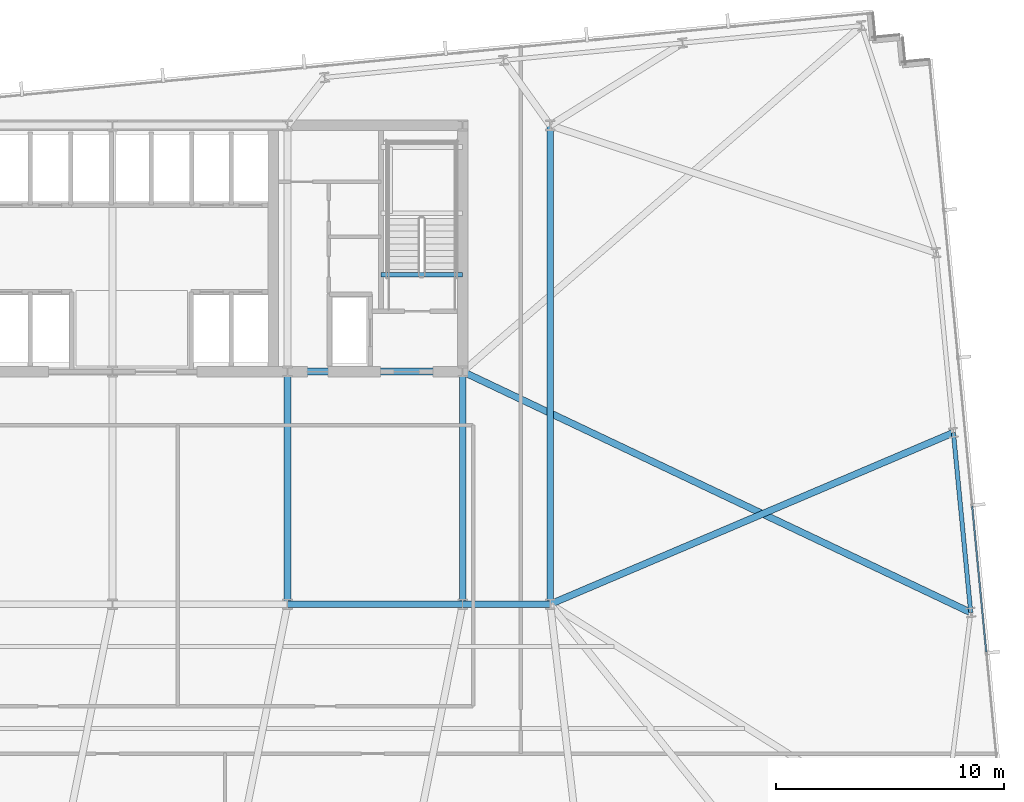
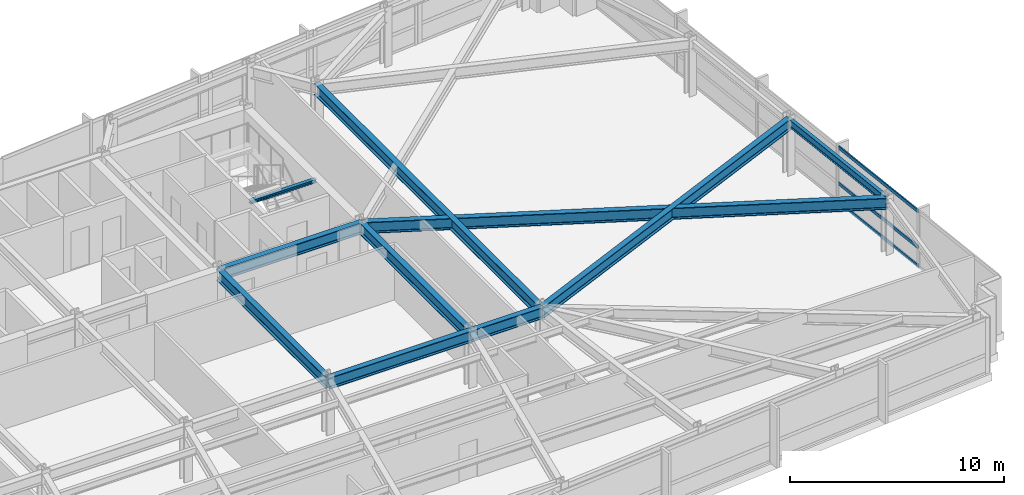
# One storey, part 16 of 33: 10 beams, 3 members, 1 element without a shape of its own.
"""IFC4 building model written with IfcOpenShell, lengths in metres."""

import ifcopenshell
import ifcopenshell.guid

model = None  # the IFC model being written
_history = None  # IfcOwnerHistory: only IFC2X3 demands one
_inside = {}  # id of a spatial element -> (the spatial element, [elements in it])
_under = {}  # id of a project, library or spatial element -> (it, [spatial elements below it])
_declared = {}  # id of a project -> (the project, [libraries it declares])
_typed = {}  # id of a type object -> (the type object, [elements of that type])
_made_of = {}  # id of a material, layer set ... -> (it, [elements and type objects made of it])


def new_model(schema):
    """Start an empty IFC model of exactly this schema.

    Asked for "IFC4X3", IfcOpenShell would pick the latest addendum, in which some entities
    have other attributes; the version numbers below select the first issue.
    IFC2X3 requires an IfcOwnerHistory on every rooted entity: one is made here for all.
    """
    global model, _history
    if schema == "IFC4X3":
        model = ifcopenshell.file(schema_version=(4, 3, 0, 0))
    else:
        model = ifcopenshell.file(schema=schema)
    _inside.clear()
    _under.clear()
    _declared.clear()
    _typed.clear()
    _made_of.clear()
    _history = None
    if model.schema == "IFC2X3":
        org = make("IfcOrganization", Name="unknown")
        user = make(
            "IfcPersonAndOrganization",
            ThePerson=make("IfcPerson", FamilyName="unknown"),
            TheOrganization=org,
        )
        app = make(
            "IfcApplication",
            ApplicationDeveloper=org,
            Version="unknown",
            ApplicationFullName="unknown",
            ApplicationIdentifier="unknown",
        )
        _history = make(
            "IfcOwnerHistory",
            OwningUser=user,
            OwningApplication=app,
            ChangeAction="ADDED",
            CreationDate=0,
        )
    return model


def make(cls, **values):
    """One entity of the class cls with the attributes given. An attribute that is None is left unset."""
    return model.create_entity(
        cls, **{name: value for name, value in values.items() if value is not None}
    )


def rooted(cls, **values):
    """An entity with a GlobalId (a new one), such as an element, a storey or a relation."""
    return make(cls, GlobalId=ifcopenshell.guid.new(), OwnerHistory=_history, **values)


def si_unit(unit_type, name, prefix=None):
    """IfcSIUnit, for example si_unit("LENGTHUNIT", "METRE", prefix="MILLI")."""
    return make("IfcSIUnit", UnitType=unit_type, Prefix=prefix, Name=name)


def assignment(units):
    """IfcUnitAssignment: the units of a project."""
    return None if units is None else make("IfcUnitAssignment", Units=units)


def point(xyz):
    """IfcCartesianPoint."""
    return None if xyz is None else make("IfcCartesianPoint", Coordinates=xyz)


def direction(xyz):
    """IfcDirection."""
    return None if xyz is None else make("IfcDirection", DirectionRatios=xyz)


def frame(location, z_axis=None, x_axis=None):
    """IfcAxis2Placement3D, a coordinate frame: its origin and axes. An axis left out is left unset."""
    return make(
        "IfcAxis2Placement3D",
        Location=point(location),
        Axis=direction(z_axis),
        RefDirection=direction(x_axis),
    )


def frame_2d(location, x_axis=None):
    """IfcAxis2Placement2D, a coordinate frame in the plane: its origin and x axis."""
    return make(
        "IfcAxis2Placement2D", Location=point(location), RefDirection=direction(x_axis)
    )


def origin():
    """The frame at (0, 0, 0) with its axes left unset."""
    return frame((0.0, 0.0, 0.0))


def origin_2d():
    """The frame at (0, 0) in the plane with its x axis left unset."""
    return frame_2d((0.0, 0.0))


def place(relative_to, where):
    """IfcLocalPlacement: puts the frame where relative to a parent placement (None: the world)."""
    return make(
        "IfcLocalPlacement", PlacementRelTo=relative_to, RelativePlacement=where
    )


def context(
    kind, dimensions, precision=None, world=None, true_north=None, identifier=None
):
    """IfcGeometricRepresentationContext, for example the 3D "Model" context."""
    return make(
        "IfcGeometricRepresentationContext",
        ContextIdentifier=identifier,
        ContextType=kind,
        CoordinateSpaceDimension=dimensions,
        Precision=precision,
        WorldCoordinateSystem=world,
        TrueNorth=true_north,
    )


def subcontext(parent, identifier, kind, view, scale=None):
    """IfcGeometricRepresentationSubContext, for example "Body" below "Model"."""
    return make(
        "IfcGeometricRepresentationSubContext",
        ContextIdentifier=identifier,
        ContextType=kind,
        ParentContext=parent,
        TargetScale=scale,
        TargetView=view,
    )


def project(units=None, contexts=None):
    """IfcProject with its units and contexts."""
    return rooted(
        "IfcProject",
        Name="project",
        RepresentationContexts=contexts,
        UnitsInContext=assignment(units),
    )


def spatial(cls, under=None, at=None, **own):
    """A site, building, storey or space (cls), placed at a placement, below another one or the project."""
    s = rooted(cls, ObjectPlacement=at, **own)
    if under is not None:
        _under.setdefault(under.id(), (under, []))[1].append(s)
    return s


def profile(cls, at=None, kind="AREA", **sizes):
    """A parametric profile (cls). Its sizes go by their IFC names, for example OverallWidth=200.0."""
    return make(cls, ProfileType=kind, Position=at, **sizes)


def hollow_rectangle(**sizes):
    """IfcRectangleHollowProfileDef."""
    return profile("IfcRectangleHollowProfileDef", **sizes)


def i_section(**sizes):
    """IfcIShapeProfileDef."""
    return profile("IfcIShapeProfileDef", **sizes)


def extrude(swept, where, along, depth):
    """IfcExtrudedAreaSolid: the profile swept, set in the frame where, extruded along a direction by depth."""
    return make(
        "IfcExtrudedAreaSolid",
        SweptArea=swept,
        Position=where,
        ExtrudedDirection=direction(along),
        Depth=depth,
    )


def shape(context_of_items, identifier, shape_type, items):
    """IfcShapeRepresentation: the items that make up one representation, for example the "Body"."""
    return make(
        "IfcShapeRepresentation",
        ContextOfItems=context_of_items,
        RepresentationIdentifier=identifier,
        RepresentationType=shape_type,
        Items=items,
    )


def material(Name=None, Category=None):
    """IfcMaterial."""
    return make("IfcMaterial", Name=Name, Category=Category)


def material_profile(
    of_material, cross_section, Name=None, Category=None, Priority=None
):
    """IfcMaterialProfile: a cross section and its material."""
    return make(
        "IfcMaterialProfile",
        Name=Name,
        Material=of_material,
        Profile=cross_section,
        Priority=Priority,
        Category=Category,
    )


def profile_set(profiles, Name=None, composite=None):
    """IfcMaterialProfileSet."""
    return make(
        "IfcMaterialProfileSet",
        Name=Name,
        MaterialProfiles=profiles,
        CompositeProfile=composite,
    )


def made_of(thing, what):
    """Note that an element or type object is made of a material, layer set ...; save() writes the relation."""
    if what is not None:
        _made_of.setdefault(what.id(), (what, []))[1].append(thing)
    return thing


def type_object(cls, material=None, **own):
    """A type object (cls), such as IfcWallType, which elements share."""
    return made_of(rooted(cls, **own), material)


def element(
    cls,
    number,
    at=None,
    inside=None,
    cuts=None,
    type_object=None,
    material=None,
    context=None,
    identifier="Body",
    shape_type=None,
    held_by="IfcProductDefinitionShape",
    body=None,
    shapes=None,
    **own,
):
    """One element of the class cls, such as IfcWall. Its Tag is "e" and its number.

    at: its placement. inside: the storey or other place that contains it. cuts: it is an
    opening in that element (IfcRelVoidsElement). A single representation is given by context,
    identifier, shape_type and body (its items); several are given by shapes. held_by: the class
    of the entity that holds the representations. save() writes the other relations.
    """
    e = rooted(cls, Tag="e%d" % number, ObjectPlacement=at, **own)
    if body is not None:
        shapes = [shape(context, identifier, shape_type, body)]
    if shapes is not None:
        e.Representation = make(held_by, Representations=shapes)
    if inside is not None:
        _inside.setdefault(inside.id(), (inside, []))[1].append(e)
    if cuts is not None:
        rooted(
            "IfcRelVoidsElement", RelatingBuildingElement=cuts, RelatedOpeningElement=e
        )
    if type_object is not None:
        _typed.setdefault(type_object.id(), (type_object, []))[1].append(e)
    return made_of(e, material)


def aggregate(whole, parts):
    """IfcRelAggregates: a whole, such as a stair, and the parts it consists of."""
    return rooted("IfcRelAggregates", RelatingObject=whole, RelatedObjects=parts)


def save(model, path):
    """Write the relations noted so far, then the file.

    IfcRelAggregates (storeys below a building ...), IfcRelContainedInSpatialStructure (elements
    in a storey), IfcRelDefinesByType, IfcRelAssociatesMaterial and IfcRelDeclares: one each for
    every whole, place, type object, material and project.
    """
    for whole, parts in _under.values():
        aggregate(whole, parts)
    for where, things in _inside.values():
        rooted(
            "IfcRelContainedInSpatialStructure",
            RelatedElements=things,
            RelatingStructure=where,
        )
    for kind, things in _typed.values():
        rooted("IfcRelDefinesByType", RelatedObjects=things, RelatingType=kind)
    for what, things in _made_of.values():
        rooted("IfcRelAssociatesMaterial", RelatedObjects=things, RelatingMaterial=what)
    for by, libraries in _declared.values():
        rooted("IfcRelDeclares", RelatingContext=by, RelatedDefinitions=libraries)
    model.write(path)


model = new_model("IFC4")

# Units and contexts
model_context = context("Model", 3, precision=1e-05, world=origin(), true_north=direction((0.0, 1.0)))
body_context = subcontext(model_context, "Body", "Model", "MODEL_VIEW")
ifc_project = project(units=[si_unit("LENGTHUNIT", "METRE"), si_unit("AREAUNIT", "SQUARE_METRE"), si_unit("VOLUMEUNIT", "CUBIC_METRE"), si_unit("PLANEANGLEUNIT", "RADIAN"), si_unit("MASSUNIT", "GRAM", prefix="KILO")], contexts=[model_context])

# Site, building, storey
site_placement = place(None, origin())
site = spatial("IfcSite", under=ifc_project, at=site_placement, CompositionType="ELEMENT")
building_placement = place(site_placement, origin())
building = spatial("IfcBuilding", under=site, at=building_placement, Name="Yelkora Congress Tower", CompositionType="ELEMENT")
storey_placement = place(building_placement, frame((0.0, 0.0, 89.699951171875)))
storey = spatial("IfcBuildingStorey", under=building, at=storey_placement, Name="L23", CompositionType="ELEMENT", Elevation=89.699951171875)

# Beams
ifc_material_1 = material(Name="Steel S355J2", Category="steel")
ifc_material_profile_1 = material_profile(ifc_material_1, i_section(OverallWidth=0.300048828125, OverallDepth=0.64990234375, WebThickness=0.01611328125, FlangeThickness=0.031005859375, FilletRadius=0.027099609375, at=origin_2d()), Name="HEB 650")
ifc_profile_set_1 = profile_set([ifc_material_profile_1], Name="Steel S355J2")
beam_type_1 = type_object("IfcBeamType", Name="BM-GIRD-HEB650", PredefinedType="BEAM", material=ifc_profile_set_1)
beam_1_placement = place(storey_placement, frame((46.080078125, 25.199951171875, 2.85498046875), z_axis=(1.0, 0.0, 0.0), x_axis=(0.0, 1.0, 0.0)))
element("IfcBeam", 1, at=beam_1_placement, inside=storey, type_object=beam_type_1, Name="L23 Spine Grid D Girder 5", PredefinedType="BEAM", context=body_context, shape_type="SweptSolid", body=[
    extrude(i_section(OverallWidth=0.300048828125, OverallDepth=0.64990234375, WebThickness=0.01611328125, FlangeThickness=0.031005859375, FilletRadius=0.027099609375, at=origin_2d()), origin(), (0.0, 0.0, 1.0), 7.679931640625),
])
beam_2_placement = place(storey_placement, frame((53.760009765625, 25.199951171875, 2.85498046875), z_axis=(1.0, 0.0, 0.0), x_axis=(0.0, 1.0, 0.0)))
element("IfcBeam", 2, at=beam_2_placement, inside=storey, type_object=beam_type_1, Name="L23 Spine Grid D Girder 6", PredefinedType="BEAM", context=body_context, shape_type="SweptSolid", body=[
    extrude(i_section(OverallWidth=0.300048828125, OverallDepth=0.64990234375, WebThickness=0.01611328125, FlangeThickness=0.031005859375, FilletRadius=0.027099609375, at=origin_2d()), origin(), (0.0, 0.0, 1.0), 3.840087890625),
])
beam_3_placement = place(storey_placement, frame((46.080078125, 35.39990234375, 2.85498046875), z_axis=(1.0, 0.0, 0.0), x_axis=(0.0, 1.0, 0.0)))
element("IfcBeam", 3, at=beam_3_placement, inside=storey, type_object=beam_type_1, Name="L23 Core South Girder 4", PredefinedType="BEAM", context=body_context, shape_type="SweptSolid", body=[
    extrude(i_section(OverallWidth=0.300048828125, OverallDepth=0.64990234375, WebThickness=0.01611328125, FlangeThickness=0.031005859375, FilletRadius=0.027099609375, at=origin_2d()), origin(), (0.0, 0.0, 1.0), 7.679931640625),
])
for number, where, z_axis, x_axis, name in (
    (4, (46.080078125, 25.199951171875, 2.85498046875), (0.0, 1.0, 0.0), (-1.0, 0.0, 0.0), "L23 Core Tie Girder MC-D4"),
    (5, (53.760009765625, 25.199951171875, 2.85498046875), (0.0, 1.0, 0.0), (-1.0, 0.0, 0.0), "L23 Core Tie Girder MC-D5"),
):
    element("IfcBeam", number, at=place(storey_placement, frame(where, z_axis=z_axis, x_axis=x_axis)), inside=storey, type_object=beam_type_1, Name=name, PredefinedType="BEAM", context=body_context, shape_type="SweptSolid", body=[
        extrude(i_section(OverallWidth=0.300048828125, OverallDepth=0.64990234375, WebThickness=0.01611328125, FlangeThickness=0.031005859375, FilletRadius=0.027099609375, at=origin_2d()), origin(), (0.0, 0.0, 1.0), 10.199951171875),
    ])
beam_4_placement = place(storey_placement, frame((57.60009765625, 25.199951171875, 2.85498046875), z_axis=(0.0, 1.0, 0.0), x_axis=(-1.0, 0.0, 0.0)))
element("IfcBeam", 6, at=beam_4_placement, inside=storey, type_object=beam_type_1, Name="L23 Neck Flank Girder MC-F2", PredefinedType="BEAM", context=body_context, shape_type="SweptSolid", body=[
    extrude(i_section(OverallWidth=0.300048828125, OverallDepth=0.64990234375, WebThickness=0.01611328125, FlangeThickness=0.031005859375, FilletRadius=0.027099609375, at=origin_2d()), origin(), (0.0, 0.0, 1.0), 21.0),
])
beam_5_placement = place(storey_placement, frame((76.041259765625, 24.83349609375, 2.85498046875), z_axis=(-0.903547447445, 0.428488051427, 0.0), x_axis=(-0.428488051427, -0.903547447445, 0.0)))
element("IfcBeam", 7, at=beam_5_placement, inside=storey, type_object=beam_type_1, Name="L23 Primary Frame Girder E01", PredefinedType="BEAM", context=body_context, shape_type="SweptSolid", body=[
    extrude(i_section(OverallWidth=0.300048828125, OverallDepth=0.64990234375, WebThickness=0.01611328125, FlangeThickness=0.031005859375, FilletRadius=0.027099609375, at=origin_2d()), origin(), (0.0, 0.0, 1.0), 24.65966796875),
])
beam_6_placement = place(storey_placement, frame((75.28173828125, 32.721923828125, 2.85498046875), z_axis=(-0.920194564302, -0.391461318432, 0.0), x_axis=(0.391461318432, -0.920194564302, 0.0)))
element("IfcBeam", 8, at=beam_6_placement, inside=storey, type_object=beam_type_1, Name="L23 Primary Frame Girder E02", PredefinedType="BEAM", context=body_context, shape_type="SweptSolid", body=[
    extrude(i_section(OverallWidth=0.300048828125, OverallDepth=0.64990234375, WebThickness=0.01611328125, FlangeThickness=0.031005859375, FilletRadius=0.027099609375, at=origin_2d()), origin(), (0.0, 0.0, 1.0), 19.215087890625),
])
ifc_material_profile_2 = material_profile(ifc_material_1, i_section(OverallWidth=0.199951171875, OverallDepth=0.18994140625, WebThickness=0.006591796875, FlangeThickness=0.010009765625, FilletRadius=0.01806640625, at=origin_2d()), Name="HEA 200")
ifc_profile_set_2 = profile_set([ifc_material_profile_2], Name="Steel S355J2")
beam_type_2 = type_object("IfcBeamType", Name="BM-LAND-HEA200", PredefinedType="BEAM", material=ifc_profile_set_2)
beam_7_placement = place(storey_placement, frame((50.179931640625, 39.639892578125, 2.947509765625), z_axis=(1.0, 0.0, 0.0), x_axis=(0.0, 1.0, 0.0)))
element("IfcBeam", 9, at=beam_7_placement, inside=storey, type_object=beam_type_2, Name="ST-02 L23 Floor Arrival Stringer Header Beam", PredefinedType="BEAM", context=body_context, shape_type="SweptSolid", body=[
    extrude(i_section(OverallWidth=0.199951171875, OverallDepth=0.18994140625, WebThickness=0.006591796875, FlangeThickness=0.010009765625, FilletRadius=0.01806640625, at=origin_2d()), origin(), (0.0, 0.0, 1.0), 3.580078125),
])
ifc_material_profile_3 = material_profile(ifc_material_1, i_section(OverallWidth=0.18994140625, OverallDepth=0.449951171875, WebThickness=0.009521484375, FlangeThickness=0.0146484375, FilletRadius=0.02099609375, at=origin_2d()), Name="IPE 450")
ifc_profile_set_3 = profile_set([ifc_material_profile_3], Name="Steel S355J2")
beam_type_3 = type_object("IfcBeamType", Name="BM-SPAN-IPE450", PredefinedType="SPANDREL", material=ifc_profile_set_3)
beam_8_placement = place(storey_placement, frame((76.041259765625, 24.83349609375, 2.955078125), z_axis=(-0.095839787071, 0.995396772757, 0.0), x_axis=(-0.995396772757, -0.095839787071, 0.0)))
element("IfcBeam", 10, at=beam_8_placement, inside=storey, type_object=beam_type_3, Name="L23 Perimeter Beam 11", PredefinedType="SPANDREL", context=body_context, shape_type="SweptSolid", body=[
    extrude(i_section(OverallWidth=0.18994140625, OverallDepth=0.449951171875, WebThickness=0.009521484375, FlangeThickness=0.0146484375, FilletRadius=0.02099609375, at=origin_2d()), origin(), (0.0, 0.0, 1.0), 7.9248046875),
])

# Curtain wall, members
ifc_material_2 = material(Name="Anodised aluminium and insulated glass", Category="aluminium")
curtain_wall_type = type_object("IfcCurtainWallType", Name="CW-SYS-SKY", PredefinedType="NOTDEFINED", material=ifc_material_2)
curtain_wall_placement = place(storey_placement, origin())
curtain_wall = element("IfcCurtainWall", 11, at=curtain_wall_placement, inside=storey, type_object=curtain_wall_type, Name="L23 Unitised Curtain Wall 15", PredefinedType="NOTDEFINED")
ifc_material_3 = material(Name="Anodised aluminium 6063-T6", Category="aluminium")
ifc_material_profile_4 = material_profile(ifc_material_3, hollow_rectangle(XDim=0.070068359375, YDim=0.18994140625, WallThickness=0.00390625, at=origin_2d()), Name="ALU 70x190x4")
ifc_profile_set_4 = profile_set([ifc_material_profile_4], Name="Anodised aluminium 6063-T6")
member_type = type_object("IfcMemberType", Name="MEM-TR-SKY", PredefinedType="USERDEFINED", material=ifc_profile_set_4)
member_1_placement = place(storey_placement, frame((76.1044921875, 29.49658203125, 0.03515625), z_axis=(0.095848441597, -0.995395939435, 0.0), x_axis=(0.995395939435, 0.095848441597, 0.0)))
member_1 = element("IfcMember", 12, at=member_1_placement, type_object=member_type, Name="CW-SKY transom 4.1", ObjectType="TRANSOM", PredefinedType="USERDEFINED", context=body_context, shape_type="SweptSolid", body=[
    extrude(hollow_rectangle(XDim=0.070068359375, YDim=0.18994140625, WallThickness=0.00390625, at=origin_2d()), origin(), (0.0, 0.0, 1.0), 6.428955078125),
])
member_2_placement = place(storey_placement, frame((76.1044921875, 29.49658203125, 1.10009765625), z_axis=(0.095848441597, -0.995395939435, 0.0), x_axis=(0.995395939435, 0.095848441597, 0.0)))
member_2 = element("IfcMember", 13, at=member_2_placement, type_object=member_type, Name="CW-SKY transom 4.2", ObjectType="TRANSOM", PredefinedType="USERDEFINED", context=body_context, shape_type="SweptSolid", body=[
    extrude(hollow_rectangle(XDim=0.070068359375, YDim=0.18994140625, WallThickness=0.00390625, at=origin_2d()), origin(), (0.0, 0.0, 1.0), 6.428955078125),
])
member_3_placement = place(storey_placement, frame((76.1044921875, 29.49658203125, 3.14501953125), z_axis=(0.095848441597, -0.995395939435, 0.0), x_axis=(0.995395939435, 0.095848441597, 0.0)))
member_3 = element("IfcMember", 14, at=member_3_placement, type_object=member_type, Name="CW-SKY transom 4.3", ObjectType="TRANSOM", PredefinedType="USERDEFINED", context=body_context, shape_type="SweptSolid", body=[
    extrude(hollow_rectangle(XDim=0.070068359375, YDim=0.18994140625, WallThickness=0.00390625, at=origin_2d()), origin(), (0.0, 0.0, 1.0), 6.428955078125),
])
aggregate(curtain_wall, [member_1, member_2, member_3])

save(model, "model.ifc")
